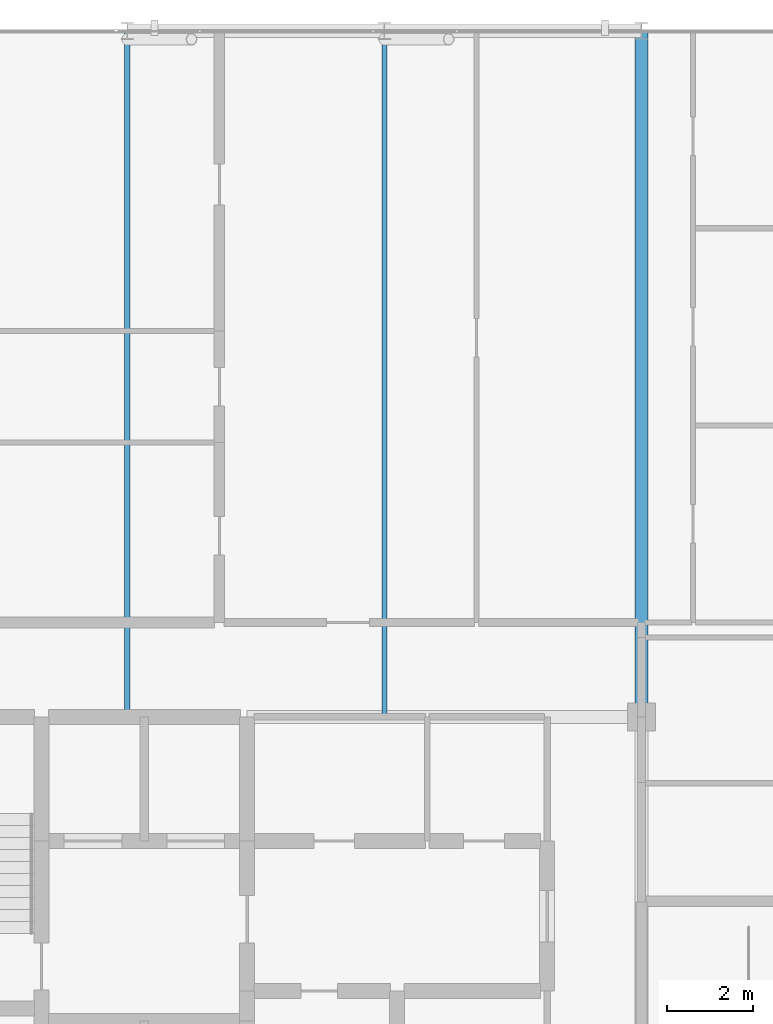
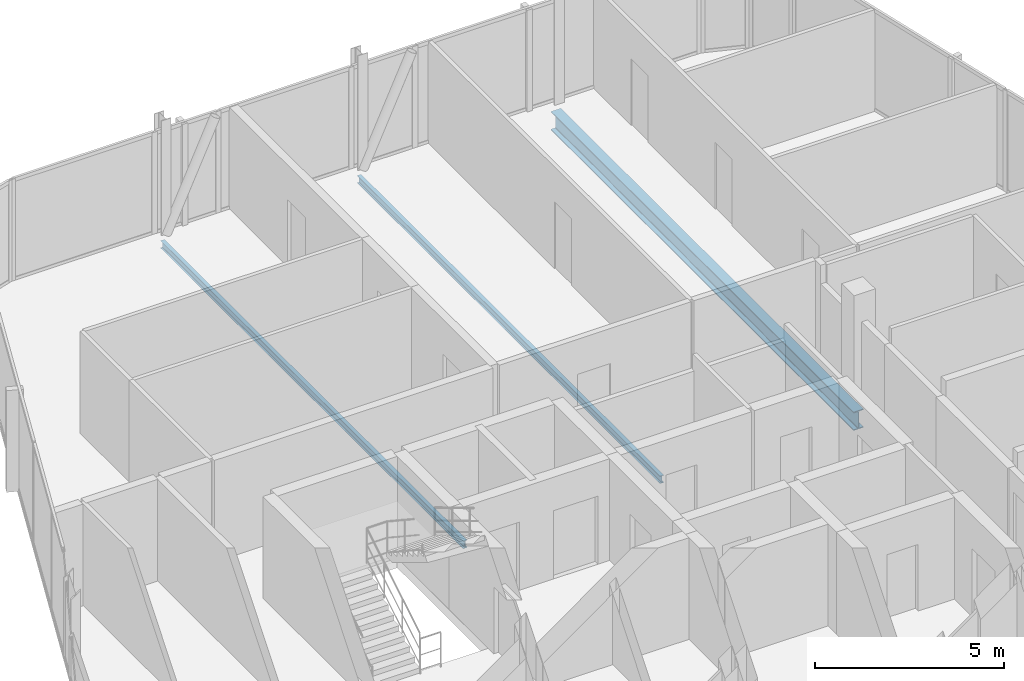
# One storey, part 16 of 27: 3 beams.
"""IFC4 building model written with IfcOpenShell, lengths in metres."""

from ifc_helpers import new_model, si_unit, direction, frame, origin, origin_2d, place, context, subcontext, project, spatial, i_section, extrude, material, material_profile, profile_set, type_object, element, save


model = new_model("IFC4")

# Units and contexts
model_context = context("Model", 3, precision=1e-05, world=origin(), true_north=direction((0.0, 1.0)))
body_context = subcontext(model_context, "Body", "Model", "MODEL_VIEW")
ifc_project = project(units=[si_unit("LENGTHUNIT", "METRE"), si_unit("AREAUNIT", "SQUARE_METRE"), si_unit("VOLUMEUNIT", "CUBIC_METRE"), si_unit("PLANEANGLEUNIT", "RADIAN"), si_unit("MASSUNIT", "GRAM", prefix="KILO")], contexts=[model_context])

# Site, building, storey
site_placement = place(None, origin())
site = spatial("IfcSite", under=ifc_project, at=site_placement, CompositionType="ELEMENT")
building_placement = place(site_placement, origin())
building = spatial("IfcBuilding", under=site, at=building_placement, Name="Keshet Zoharim Tower", CompositionType="ELEMENT")
storey_placement = place(building_placement, frame((0.0, 0.0, 311.0)))
storey = spatial("IfcBuildingStorey", under=building, at=storey_placement, Name="L78", CompositionType="ELEMENT", Elevation=311.0)

# Beams
ifc_material = material(Name="Steel S355", Category="steel")
ifc_material_profile_1 = material_profile(ifc_material, i_section(OverallWidth=0.1201171875, OverallDepth=0.239990234375, WebThickness=0.006103515625, FlangeThickness=0.009765625, FilletRadius=0.014892578125, at=origin_2d()), Name="IPE240")
ifc_profile_set_1 = profile_set([ifc_material_profile_1], Name="Steel S355")
beam_type_1 = type_object("IfcBeamType", Name="BM-JST-IP240", PredefinedType="JOIST", material=ifc_profile_set_1)
for number, where, z_axis, x_axis, name in (
    (1, (21.0, 37.89990234375, -0.429931640625), (0.0, 1.0, 0.0), (-1.0, 0.0, 0.0), "L78 Secondary Floor Joist J-001"),
    (2, (27.0, 37.89990234375, -0.429931640625), (0.0, 1.0, 0.0), (-1.0, 0.0, 0.0), "L78 Secondary Floor Joist J-002"),
):
    element("IfcBeam", number, at=place(storey_placement, frame(where, z_axis=z_axis, x_axis=x_axis)), inside=storey, type_object=beam_type_1, Name=name, PredefinedType="JOIST", context=body_context, shape_type="SweptSolid", body=[
        extrude(i_section(OverallWidth=0.1201171875, OverallDepth=0.239990234375, WebThickness=0.006103515625, FlangeThickness=0.009765625, FilletRadius=0.014892578125, at=origin_2d()), origin(), (0.0, 0.0, 1.0), 16.0),
    ])
ifc_material_profile_2 = material_profile(ifc_material, i_section(OverallWidth=0.300048828125, OverallDepth=0.60009765625, WebThickness=0.015380859375, FlangeThickness=0.030029296875, FilletRadius=0.027099609375, at=origin_2d()), Name="HEB600")
ifc_profile_set_2 = profile_set([ifc_material_profile_2], Name="Steel S355")
beam_type_2 = type_object("IfcBeamType", Name="BM-LNG-HB600", PredefinedType="BEAM", material=ifc_profile_set_2)
beam_placement = place(storey_placement, frame((33.0, 37.89990234375, -0.610107421875), z_axis=(0.0, 1.0, 0.0), x_axis=(-1.0, 0.0, 0.0)))
element("IfcBeam", 3, at=beam_placement, inside=storey, type_object=beam_type_2, Name="L78 Primary Girder Y-009", PredefinedType="BEAM", context=body_context, shape_type="SweptSolid", body=[
    extrude(i_section(OverallWidth=0.300048828125, OverallDepth=0.60009765625, WebThickness=0.015380859375, FlangeThickness=0.030029296875, FilletRadius=0.027099609375, at=origin_2d()), origin(), (0.0, 0.0, 1.0), 16.0),
])

save(model, "model.ifc")
